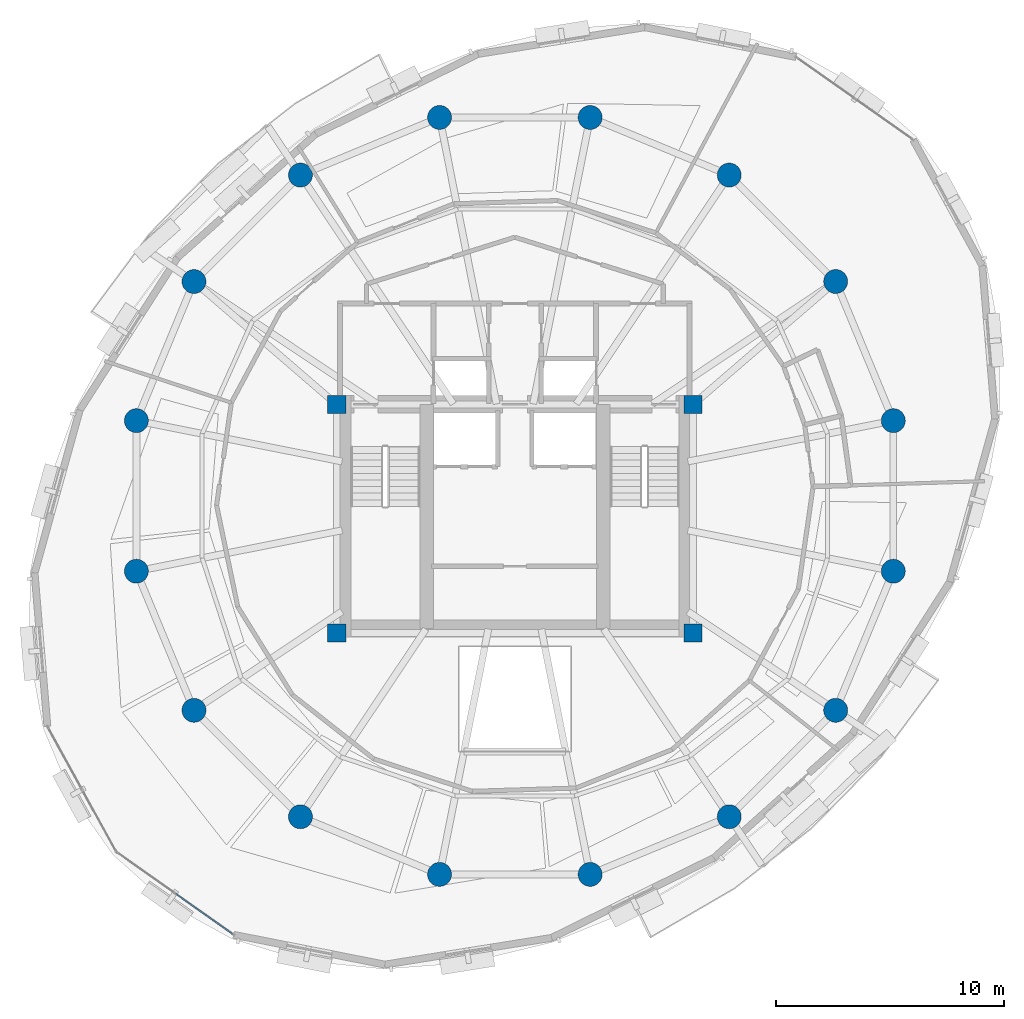
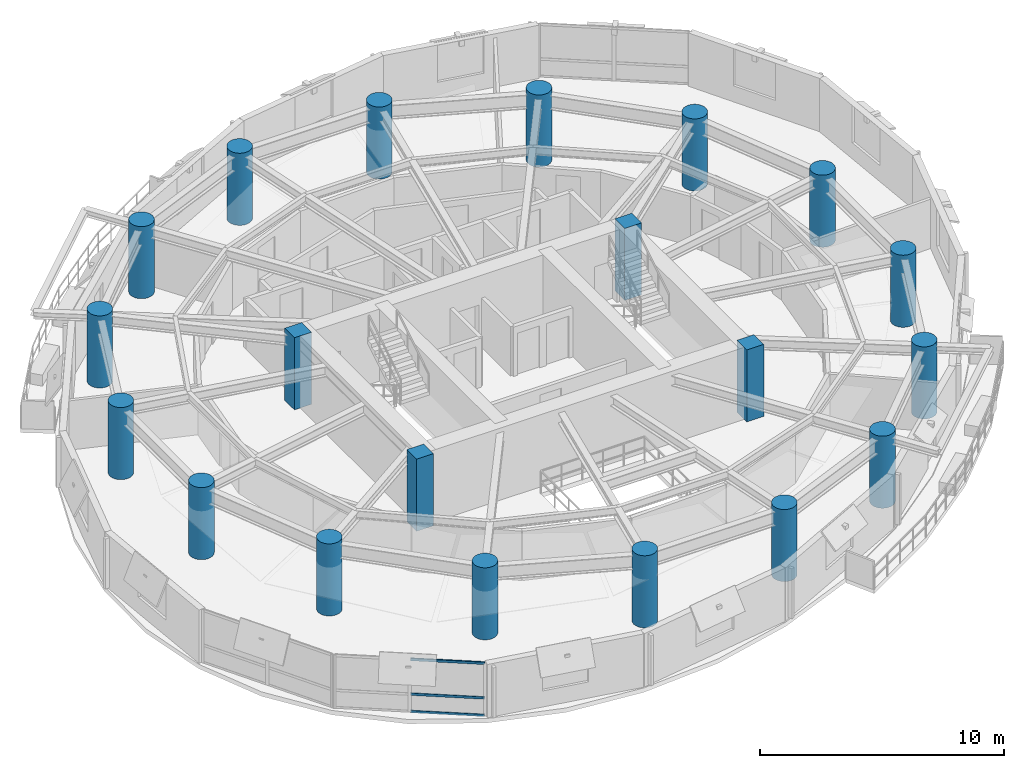
# One storey, part 1 of 12: 20 columns, 3 members, 1 element without a shape of its own.
"""IFC4 building model written with IfcOpenShell, lengths in metres."""

from ifc_helpers import new_model, si_unit, direction, frame, origin, origin_2d, place, context, subcontext, project, spatial, rectangle, hollow_rectangle, circle, extrude, material, layer, layer_set, material_profile, profile_set, type_object, element, aggregate, save


model = new_model("IFC4")

# Units and contexts
model_context = context("Model", 3, precision=1e-05, world=origin(), true_north=direction((0.0, 1.0)))
body_context = subcontext(model_context, "Body", "Model", "MODEL_VIEW")
ifc_project = project(units=[si_unit("LENGTHUNIT", "METRE"), si_unit("AREAUNIT", "SQUARE_METRE"), si_unit("VOLUMEUNIT", "CUBIC_METRE"), si_unit("PLANEANGLEUNIT", "RADIAN"), si_unit("MASSUNIT", "GRAM", prefix="KILO"), si_unit("THERMODYNAMICTEMPERATUREUNIT", "KELVIN"), si_unit("POWERUNIT", "WATT")], contexts=[model_context])

# Site, building, storey
site_placement = place(None, origin())
site = spatial("IfcSite", under=ifc_project, at=site_placement, CompositionType="ELEMENT")
building_placement = place(site_placement, origin())
building = spatial("IfcBuilding", under=site, at=building_placement, Name="Ocrelia Relay Tower", CompositionType="ELEMENT")
storey_placement = place(building_placement, frame((0.0, 0.0, 206.0)))
storey = spatial("IfcBuildingStorey", under=building, at=storey_placement, Name="L50", CompositionType="ELEMENT", Elevation=206.0)

# Columns
ifc_material_1 = material(Name="Concrete C60/75", Category="concrete")
ifc_material_profile_1 = material_profile(ifc_material_1, circle(Radius=0.52490234375, at=origin_2d()), Name="RC-CIR-1050")
ifc_profile_set_1 = profile_set([ifc_material_profile_1], Name="Concrete C60/75")
column_type_1 = type_object("IfcColumnType", Name="COL-CT-1050", PredefinedType="COLUMN", material=ifc_profile_set_1)
for number, where, z_axis, x_axis, name in (
    (1, (50.5751953125, 29.297119140625, 0.0), (0.0, 0.0, 1.0), (1.0, 0.0, 0.0), "L50 Perimeter Ring Column C01"),
    (2, (48.0517578125, 35.38916015625, 0.0), (0.0, 0.0, 1.0), (1.0, 0.0, 0.0), "L50 Perimeter Ring Column C02"),
    (3, (43.38916015625, 40.0517578125, 0.0), (0.0, 0.0, 1.0), (1.0, 0.0, 0.0), "L50 Perimeter Ring Column C03"),
    (4, (37.297119140625, 42.5751953125, 0.0), (0.0, 0.0, 1.0), (1.0, 0.0, 0.0), "L50 Perimeter Ring Column C04"),
    (5, (30.702880859375, 42.5751953125, 0.0), (0.0, 0.0, 1.0), (1.0, 0.0, 0.0), "L50 Perimeter Ring Column C05"),
    (6, (24.61083984375, 40.0517578125, 0.0), (0.0, 0.0, 1.0), (1.0, 0.0, 0.0), "L50 Perimeter Ring Column C06"),
    (7, (19.9482421875, 35.38916015625, 0.0), (0.0, 0.0, 1.0), (1.0, 0.0, 0.0), "L50 Perimeter Ring Column C07"),
    (8, (17.4248046875, 29.297119140625, 0.0), (0.0, 0.0, 1.0), (1.0, 0.0, 0.0), "L50 Perimeter Ring Column C08"),
    (9, (17.4248046875, 22.702880859375, 0.0), (0.0, 0.0, 1.0), (1.0, 0.0, 0.0), "L50 Perimeter Ring Column C09"),
    (10, (19.9482421875, 16.61083984375, 0.0), (0.0, 0.0, 1.0), (1.0, 0.0, 0.0), "L50 Perimeter Ring Column C10"),
    (11, (24.61083984375, 11.9482421875, 0.0), (0.0, 0.0, 1.0), (1.0, 0.0, 0.0), "L50 Perimeter Ring Column C11"),
    (12, (30.702880859375, 9.4248046875, 0.0), (0.0, 0.0, 1.0), (1.0, 0.0, 0.0), "L50 Perimeter Ring Column C12"),
    (13, (37.297119140625, 9.4248046875, 0.0), (0.0, 0.0, 1.0), (1.0, 0.0, 0.0), "L50 Perimeter Ring Column C13"),
    (14, (43.38916015625, 11.9482421875, 0.0), (0.0, 0.0, 1.0), (1.0, 0.0, 0.0), "L50 Perimeter Ring Column C14"),
    (15, (48.0517578125, 16.61083984375, 0.0), (0.0, 0.0, 1.0), (1.0, 0.0, 0.0), "L50 Perimeter Ring Column C15"),
    (16, (50.5751953125, 22.702880859375, 0.0), (0.0, 0.0, 1.0), (1.0, 0.0, 0.0), "L50 Perimeter Ring Column C16"),
):
    element("IfcColumn", number, at=place(storey_placement, frame(where, z_axis=z_axis, x_axis=x_axis)), inside=storey, type_object=column_type_1, Name=name, PredefinedType="COLUMN", context=body_context, shape_type="SweptSolid", body=[
        extrude(circle(Radius=0.52490234375, at=origin_2d()), origin(), (0.0, 0.0, 1.0), 3.60009765625),
    ])
ifc_material_profile_2 = material_profile(ifc_material_1, rectangle(XDim=0.800048828125, YDim=0.800048828125, at=origin_2d()), Name="RC-COL-800x800")
ifc_profile_set_2 = profile_set([ifc_material_profile_2], Name="Concrete C60/75")
column_type_2 = type_object("IfcColumnType", Name="COL-PILASTER-800", PredefinedType="PILASTER", material=ifc_profile_set_2)
for number, where, z_axis, x_axis, name in (
    (17, (26.199951171875, 20.0, 0.0), (0.0, 0.0, 1.0), (1.0, 0.0, 0.0), "L50 Core Corner Pilaster SW"),
    (18, (41.800048828125, 20.0, 0.0), (0.0, 0.0, 1.0), (1.0, 0.0, 0.0), "L50 Core Corner Pilaster SE"),
    (19, (26.199951171875, 30.0, 0.0), (0.0, 0.0, 1.0), (1.0, 0.0, 0.0), "L50 Core Corner Pilaster NW"),
    (20, (41.800048828125, 30.0, 0.0), (0.0, 0.0, 1.0), (1.0, 0.0, 0.0), "L50 Core Corner Pilaster NE"),
):
    element("IfcColumn", number, at=place(storey_placement, frame(where, z_axis=z_axis, x_axis=x_axis)), inside=storey, type_object=column_type_2, Name=name, PredefinedType="PILASTER", context=body_context, shape_type="SweptSolid", body=[
        extrude(rectangle(XDim=0.800048828125, YDim=0.800048828125, at=origin_2d()), origin(), (0.0, 0.0, 1.0), 3.60009765625),
    ])

# Curtain wall, members
ifc_material_2 = material(Name="Aluminium and solar-control low-E glass", Category="aluminium")
ifc_layer = layer(ifc_material_2, 0.179931640625, Name="Aluminium and solar-control low-E glass")
ifc_layer_set = layer_set([ifc_layer], Name="Aluminium and solar-control low-E glass")
curtain_wall_type = type_object("IfcCurtainWallType", Name="CW-SYS-Z3-CLOU", PredefinedType="NOTDEFINED", material=ifc_layer_set)
curtain_wall_placement = place(storey_placement, origin())
curtain_wall = element("IfcCurtainWall", 21, at=curtain_wall_placement, inside=storey, type_object=curtain_wall_type, Name="L50 Elliptical Tower Curtain Wall Bay 10", PredefinedType="NOTDEFINED")
ifc_material_3 = material(Name="Anodised bronze aluminium", Category="aluminium")
ifc_material_profile_3 = material_profile(ifc_material_3, hollow_rectangle(XDim=0.06005859375, YDim=0.1201171875, WallThickness=0.0048828125, at=origin_2d()), Name="CW-TRN-120x60")
ifc_profile_set_3 = profile_set([ifc_material_profile_3], Name="Anodised bronze aluminium")
member_type = type_object("IfcMemberType", Name="CW-SYS-Z3-CLOU-TRN", PredefinedType="USERDEFINED", material=ifc_profile_set_3)
member_1_placement = place(storey_placement, frame((19.148681640625, 8.57275390625, 0.030029296875), z_axis=(0.816972308806, -0.576676899697, 0.0), x_axis=(0.576676899697, 0.816972308806, 0.0)))
member_1 = element("IfcMember", 22, at=member_1_placement, type_object=member_type, Name="CW-Z3 transom 2.1", ObjectType="TRANSOM", PredefinedType="USERDEFINED", context=body_context, shape_type="SweptSolid", body=[
    extrude(hollow_rectangle(XDim=0.06005859375, YDim=0.1201171875, WallThickness=0.0048828125, at=origin_2d()), origin(), (0.0, 0.0, 1.0), 3.0439453125),
])
member_2_placement = place(storey_placement, frame((19.148681640625, 8.57275390625, 0.89990234375), z_axis=(0.816972308806, -0.576676899697, 0.0), x_axis=(0.576676899697, 0.816972308806, 0.0)))
member_2 = element("IfcMember", 23, at=member_2_placement, type_object=member_type, Name="CW-Z3 transom 2.2", ObjectType="TRANSOM", PredefinedType="USERDEFINED", context=body_context, shape_type="SweptSolid", body=[
    extrude(hollow_rectangle(XDim=0.06005859375, YDim=0.1201171875, WallThickness=0.0048828125, at=origin_2d()), origin(), (0.0, 0.0, 1.0), 3.0439453125),
])
member_3_placement = place(storey_placement, frame((19.148681640625, 8.57275390625, 2.6298828125), z_axis=(0.816972308806, -0.576676899697, 0.0), x_axis=(0.576676899697, 0.816972308806, 0.0)))
member_3 = element("IfcMember", 24, at=member_3_placement, type_object=member_type, Name="CW-Z3 transom 2.3", ObjectType="TRANSOM", PredefinedType="USERDEFINED", context=body_context, shape_type="SweptSolid", body=[
    extrude(hollow_rectangle(XDim=0.06005859375, YDim=0.1201171875, WallThickness=0.0048828125, at=origin_2d()), origin(), (0.0, 0.0, 1.0), 3.0439453125),
])
aggregate(curtain_wall, [member_1, member_2, member_3])

save(model, "model.ifc")
